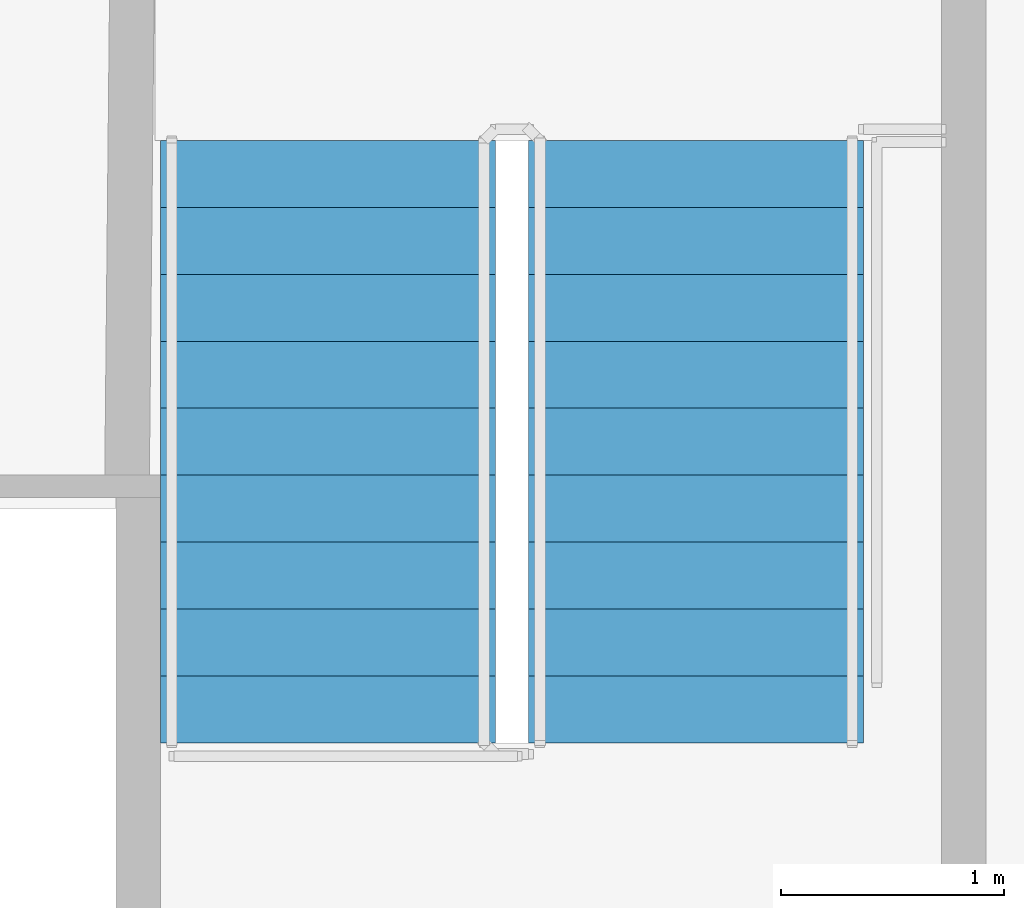
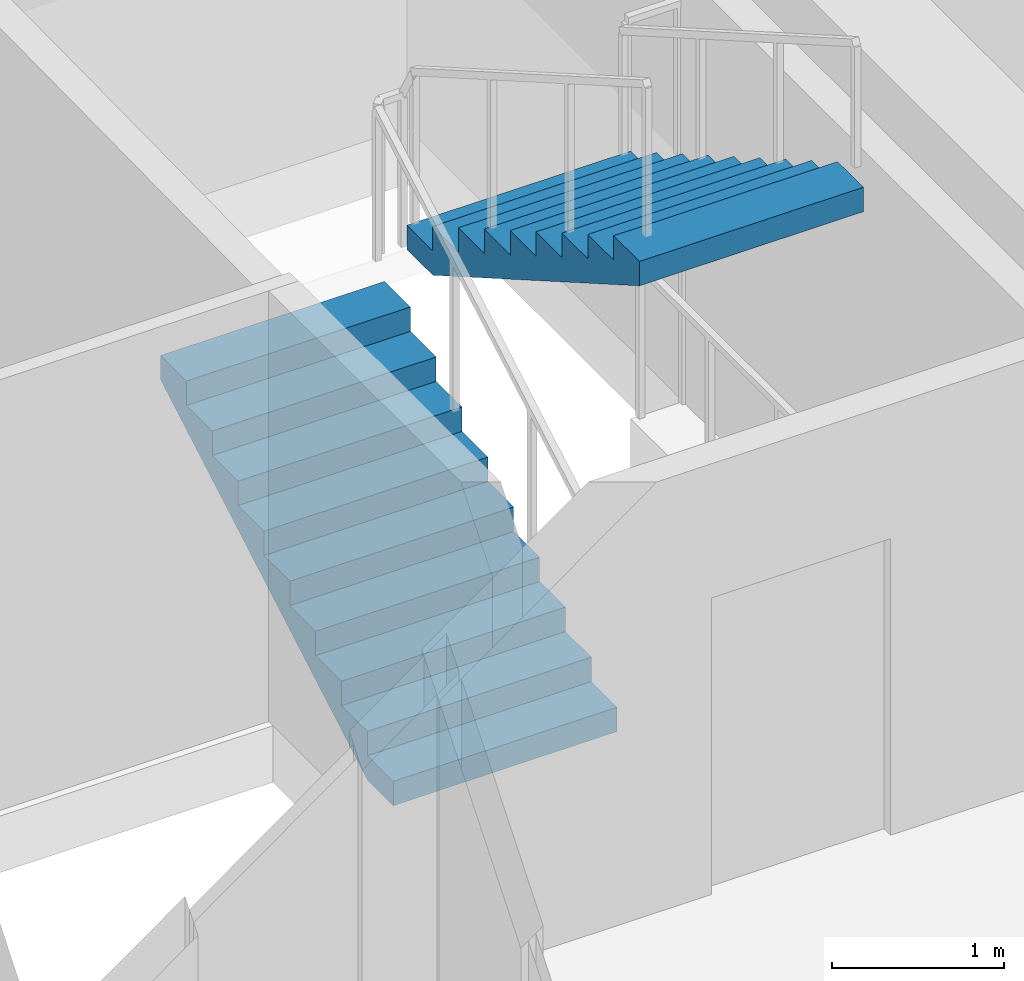
# One storey, part 13 of 17: 2 stair flights, 1 element without a shape of its own.
"""IFC4 building model written with IfcOpenShell, lengths in metres."""

from ifc_helpers import new_model, si_unit, direction, frame, origin, place, context, subcontext, project, spatial, polyline, outline, extrude, material, type_object, element, aggregate, save


model = new_model("IFC4")

# Units and contexts
model_context = context("Model", 3, precision=1e-05, world=origin(), true_north=direction((0.0, 1.0)))
body_context = subcontext(model_context, "Body", "Model", "MODEL_VIEW")
ifc_project = project(units=[si_unit("LENGTHUNIT", "METRE"), si_unit("AREAUNIT", "SQUARE_METRE"), si_unit("VOLUMEUNIT", "CUBIC_METRE"), si_unit("PLANEANGLEUNIT", "RADIAN"), si_unit("MASSUNIT", "GRAM", prefix="KILO")], contexts=[model_context])

# Site, building, storey
site_placement = place(None, origin())
site = spatial("IfcSite", under=ifc_project, at=site_placement, CompositionType="ELEMENT")
building_placement = place(site_placement, origin())
building = spatial("IfcBuilding", under=site, at=building_placement, Name="Vermilion Ogive Tower", CompositionType="ELEMENT")
storey_placement = place(building_placement, frame((0.0, 0.0, 196.25)))
storey = spatial("IfcBuildingStorey", under=building, at=storey_placement, Name="L51", CompositionType="ELEMENT", Elevation=196.25)

# Stair, stair flights
ifc_material_1 = material(Name="Concrete B40", Category="concrete")
stair_type = type_object("IfcStairType", Name="Exit stair 1500", PredefinedType="HALF_TURN_STAIR", material=ifc_material_1)
stair_placement = place(storey_placement, origin())
stair = element("IfcStair", 1, at=stair_placement, inside=storey, type_object=stair_type, Name="L51 Exit Stair ST2", PredefinedType="HALF_TURN_STAIR")
ifc_material_2 = material(Name="Concrete B40", Category="concrete")
stair_flight_type = type_object("IfcStairFlightType", Name="Stair flight 1500", PredefinedType="STRAIGHT", material=ifc_material_2)
stair_flight_1_placement = place(storey_placement, frame((4.85009765625, 14.85009765625, 0.0), z_axis=(0.0, 0.0, 1.0), x_axis=(0.0, 1.0, 0.0)))
stair_flight_1 = element("IfcStairFlight", 2, at=stair_flight_1_placement, type_object=stair_flight_type, Name="ST2 flight 1", NumberOfRisers=10, NumberOfTreads=9, PredefinedType="STRAIGHT", RiserHeight=0.1725, TreadLength=0.3, context=body_context, shape_type="SweptSolid", body=[
    extrude(outline(polyline([(0.0, 0.0), (0.0, 0.172607421875), (0.300048828125, 0.172607421875), (0.300048828125, 0.344970703125), (0.60009765625, 0.344970703125), (0.60009765625, 0.517578125), (0.89990234375, 0.517578125), (0.89990234375, 0.68994140625), (1.199951171875, 0.68994140625), (1.199951171875, 0.862548828125), (1.5, 0.862548828125), (1.5, 1.034912109375), (1.800048828125, 1.034912109375), (1.800048828125, 1.20751953125), (2.10009765625, 1.20751953125), (2.10009765625, 1.3798828125), (2.39990234375, 1.3798828125), (2.39990234375, 1.552490234375), (2.699951171875, 1.552490234375), (2.699951171875, 1.72509765625), (2.699951171875, 1.379638671875), (0.30078125, 0.0), (0.0, 0.0)])), frame((0.0, 0.75, 0.0), z_axis=(0.0, -1.0, 0.0), x_axis=(1.0, 0.0, 0.0)), (0.0, 0.0, 1.0), 1.5),
])
stair_flight_2_placement = place(storey_placement, frame((6.5, 17.550048828125, 1.72509765625), z_axis=(0.0, 0.0, 1.0), x_axis=(0.0, -1.0, 0.0)))
stair_flight_2 = element("IfcStairFlight", 3, at=stair_flight_2_placement, type_object=stair_flight_type, Name="ST2 flight 2", NumberOfRisers=10, NumberOfTreads=9, PredefinedType="STRAIGHT", RiserHeight=0.1725, TreadLength=0.3, context=body_context, shape_type="SweptSolid", body=[
    extrude(outline(polyline([(0.0, 0.0), (0.0, 0.172607421875), (0.300048828125, 0.172607421875), (0.300048828125, 0.344970703125), (0.60009765625, 0.344970703125), (0.60009765625, 0.517578125), (0.89990234375, 0.517578125), (0.89990234375, 0.68994140625), (1.199951171875, 0.68994140625), (1.199951171875, 0.862548828125), (1.5, 0.862548828125), (1.5, 1.034912109375), (1.800048828125, 1.034912109375), (1.800048828125, 1.20751953125), (2.10009765625, 1.20751953125), (2.10009765625, 1.3798828125), (2.39990234375, 1.3798828125), (2.39990234375, 1.552490234375), (2.699951171875, 1.552490234375), (2.699951171875, 1.72509765625), (2.699951171875, 1.379638671875), (0.30078125, 0.0), (0.0, 0.0)])), frame((0.0, 0.75, 0.0), z_axis=(0.0, -1.0, 0.0), x_axis=(1.0, 0.0, 0.0)), (0.0, 0.0, 1.0), 1.5),
])
aggregate(stair, [stair_flight_1, stair_flight_2])

save(model, "model.ifc")
